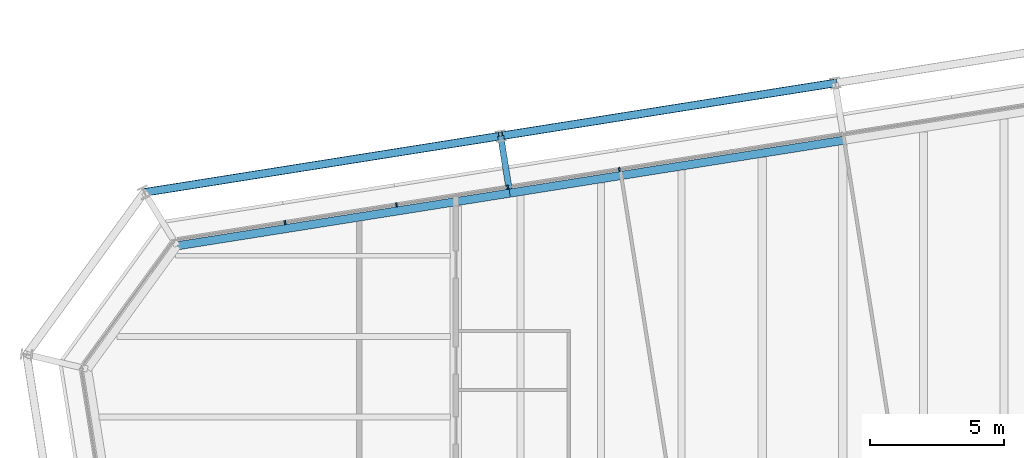
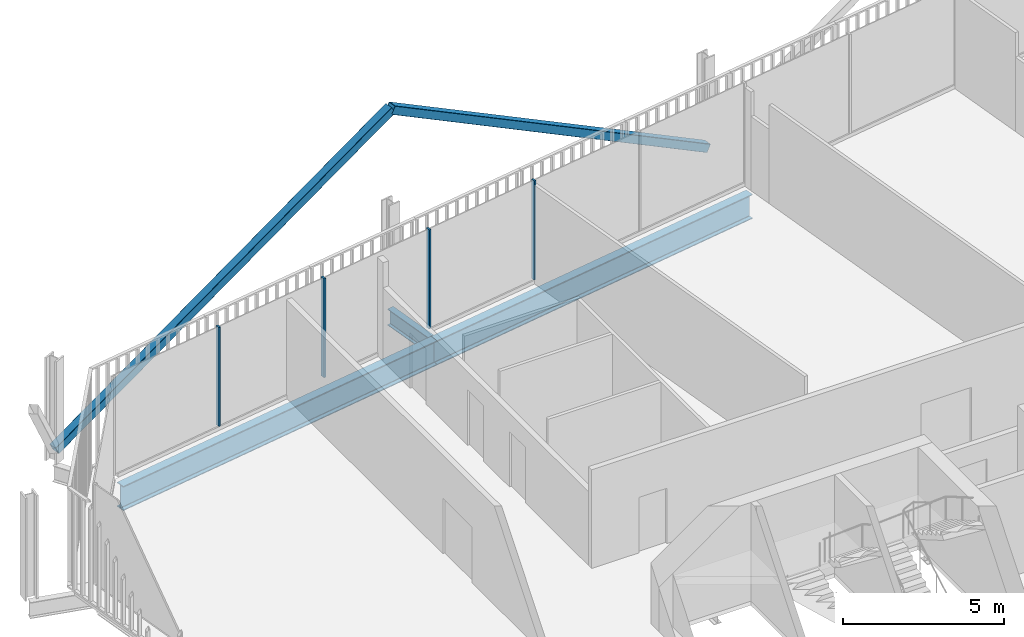
# One storey, part 13 of 21: 6 members, 3 beams, 1 element without a shape of its own.
"""IFC4 building model written with IfcOpenShell, lengths in metres."""

from ifc_helpers import new_model, si_unit, direction, frame, origin, origin_2d, place, context, subcontext, project, spatial, rectangle, hollow_rectangle, i_section, extrude, material, layer, layer_set, material_profile, profile_set, type_object, element, aggregate, save


model = new_model("IFC4")

# Units and contexts
model_context = context("Model", 3, precision=1e-05, world=origin(), true_north=direction((0.0, 1.0)))
body_context = subcontext(model_context, "Body", "Model", "MODEL_VIEW")
ifc_project = project(units=[si_unit("LENGTHUNIT", "METRE"), si_unit("AREAUNIT", "SQUARE_METRE"), si_unit("VOLUMEUNIT", "CUBIC_METRE"), si_unit("PLANEANGLEUNIT", "RADIAN"), si_unit("MASSUNIT", "GRAM", prefix="KILO")], contexts=[model_context])

# Site, building, storey
site_placement = place(None, origin())
site = spatial("IfcSite", under=ifc_project, at=site_placement, CompositionType="ELEMENT")
building_placement = place(site_placement, origin())
building = spatial("IfcBuilding", under=site, at=building_placement, Name="Millrace Tower", CompositionType="ELEMENT")
storey_placement = place(building_placement, frame((0.0, 0.0, 220.300048828125)))
storey = spatial("IfcBuildingStorey", under=building, at=storey_placement, Name="L50", CompositionType="ELEMENT", Elevation=220.300048828125)

# Curtain wall, members
ifc_material_1 = material(Name="Aluminium and glass", Category="aluminium")
ifc_layer = layer(ifc_material_1, 0.14990234375)
ifc_layer_set = layer_set([ifc_layer], Name="Aluminium and glass")
curtain_wall_type = type_object("IfcCurtainWallType", Name="CW-1 office vision curtain wall", PredefinedType="NOTDEFINED", material=ifc_layer_set)
curtain_wall_placement = place(storey_placement, origin())
curtain_wall = element("IfcCurtainWall", 1, at=curtain_wall_placement, inside=storey, type_object=curtain_wall_type, Name="Curtain wall D-F06 L50", PredefinedType="NOTDEFINED")
ifc_material_2 = material(Name="Aluminium", Category="aluminium")
ifc_material_profile_1 = material_profile(ifc_material_2, rectangle(XDim=0.06494140625, YDim=0.14990234375, at=origin_2d()))
ifc_profile_set_1 = profile_set([ifc_material_profile_1], Name="Aluminium")
member_type_1 = type_object("IfcMemberType", Name="CW-1 office vision curtain wall mullion", PredefinedType="MULLION", material=ifc_profile_set_1)
member_1_placement = place(storey_placement, frame((-8.31591796875, 27.207275390625, 0.139892578125), z_axis=(0.0, 0.0, 1.0), x_axis=(-0.987688339511, -0.156434471884, 0.0)))
member_1 = element("IfcMember", 2, at=member_1_placement, type_object=member_type_1, Name="CW1 mullion D-F06.6", PredefinedType="MULLION", context=body_context, shape_type="SweptSolid", body=[
    extrude(rectangle(XDim=0.06494140625, YDim=0.14990234375, at=origin_2d()), origin(), (0.0, 0.0, 1.0), 3.760009765625),
])
member_2_placement = place(storey_placement, frame((-12.46435546875, 26.55029296875, 0.139892578125), z_axis=(0.0, 0.0, 1.0), x_axis=(-0.987688339511, -0.156434471884, 0.0)))
member_2 = element("IfcMember", 3, at=member_2_placement, type_object=member_type_1, Name="CW1 mullion D-F06.7", PredefinedType="MULLION", context=body_context, shape_type="SweptSolid", body=[
    extrude(rectangle(XDim=0.06494140625, YDim=0.14990234375, at=origin_2d()), origin(), (0.0, 0.0, 1.0), 3.760009765625),
])
member_3_placement = place(storey_placement, frame((-16.612548828125, 25.893310546875, 0.139892578125), z_axis=(0.0, 0.0, 1.0), x_axis=(-0.987688339511, -0.156434471884, 0.0)))
member_3 = element("IfcMember", 4, at=member_3_placement, type_object=member_type_1, Name="CW1 mullion D-F06.8", PredefinedType="MULLION", context=body_context, shape_type="SweptSolid", body=[
    extrude(rectangle(XDim=0.06494140625, YDim=0.14990234375, at=origin_2d()), origin(), (0.0, 0.0, 1.0), 3.760009765625),
])
member_4_placement = place(storey_placement, frame((-20.7607421875, 25.236328125, 0.139892578125), z_axis=(0.0, 0.0, 1.0), x_axis=(-0.987688339511, -0.156434471884, 0.0)))
member_4 = element("IfcMember", 5, at=member_4_placement, type_object=member_type_1, Name="CW1 mullion D-F06.9", PredefinedType="MULLION", context=body_context, shape_type="SweptSolid", body=[
    extrude(rectangle(XDim=0.06494140625, YDim=0.14990234375, at=origin_2d()), origin(), (0.0, 0.0, 1.0), 3.760009765625),
])
aggregate(curtain_wall, [member_1, member_2, member_3, member_4])

# Members
ifc_material_3 = material(Name="Steel ASTM A500 Grade C", Category="steel")
ifc_material_profile_2 = material_profile(ifc_material_3, hollow_rectangle(XDim=0.3046875, YDim=0.3046875, WallThickness=0.0126953125, InnerFilletRadius=0.00634765625, OuterFilletRadius=0.01904296875, at=origin_2d()))
ifc_profile_set_2 = profile_set([ifc_material_profile_2], Name="Steel ASTM A500 Grade C")
member_type_2 = type_object("IfcMemberType", Name="Exoskeleton brace HSS12x12x1/2", PredefinedType="BRACE", material=ifc_profile_set_2)
member_5_placement = place(storey_placement, frame((-0.288330078125, 30.427734375, 0.39990234375), z_axis=(-0.86339943803, -0.136738080691, 0.485637835943), x_axis=(0.156422238477, -0.987690277015, 0.0)))
element("IfcMember", 6, at=member_5_placement, inside=storey, type_object=member_type_2, Name="BRC-D-L50-11", PredefinedType="BRACE", context=body_context, shape_type="SweptSolid", body=[
    extrude(hollow_rectangle(XDim=0.3046875, YDim=0.3046875, WallThickness=0.0126953125, InnerFilletRadius=0.00634765625, OuterFilletRadius=0.01904296875, at=origin_2d()), origin(), (0.0, 0.0, 1.0), 14.4140625),
])
member_6_placement = place(storey_placement, frame((-25.996337890625, 26.35595703125, 0.39990234375), z_axis=(0.875829804371, 0.138730151249, 0.462251121048), x_axis=(-0.156448038127, 0.987686190734, 0.0)))
element("IfcMember", 7, at=member_6_placement, inside=storey, type_object=member_type_2, Name="BRC-D-L50-12", PredefinedType="BRACE", context=body_context, shape_type="SweptSolid", body=[
    extrude(hollow_rectangle(XDim=0.3046875, YDim=0.3046875, WallThickness=0.0126953125, InnerFilletRadius=0.00634765625, OuterFilletRadius=0.01904296875, at=origin_2d()), origin(), (0.0, 0.0, 1.0), 15.143310546875),
])

# Beams
ifc_material_4 = material(Name="Steel ASTM A992 Grade 50", Category="steel")
ifc_material_profile_3 = material_profile(ifc_material_4, i_section(OverallWidth=0.23046875, OverallDepth=0.6171875, WebThickness=0.01318359375, FlangeThickness=0.022216796875, FilletRadius=0.012939453125, at=origin_2d()))
ifc_profile_set_3 = profile_set([ifc_material_profile_3], Name="Steel ASTM A992 Grade 50")
beam_type_1 = type_object("IfcBeamType", Name="Link beam W24x94", PredefinedType="BEAM", material=ifc_profile_set_3)
beam_1_placement = place(storey_placement, frame((-12.42041015625, 26.481201171875, -0.46875), z_axis=(-0.156476509441, 0.987681680499, 0.0), x_axis=(-0.987681680499, -0.156476509441, 0.0)))
element("IfcBeam", 8, at=beam_1_placement, inside=storey, type_object=beam_type_1, Name="LNK-D-L50-S1-06", PredefinedType="BEAM", context=body_context, shape_type="SweptSolid", body=[
    extrude(i_section(OverallWidth=0.23046875, OverallDepth=0.6171875, WebThickness=0.01318359375, FlangeThickness=0.022216796875, FilletRadius=0.012939453125, at=origin_2d()), origin(), (0.0, 0.0, 1.0), 2.000244140625),
])
ifc_material_5 = material(Name="Steel ASTM A992 Grade 50", Category="steel")
ifc_material_profile_4 = material_profile(ifc_material_5, i_section(OverallWidth=0.307373046875, OverallDepth=0.927001953125, WebThickness=0.01953125, FlangeThickness=0.031982421875, FilletRadius=0.01904296875, at=origin_2d()))
ifc_profile_set_4 = profile_set([ifc_material_profile_4], Name="Steel ASTM A992 Grade 50")
beam_type_2 = type_object("IfcBeamType", Name="Ring beam medium span W36x194", PredefinedType="SPANDREL", material=ifc_profile_set_4)
beam_2_placement = place(storey_placement, frame((-24.7783203125, 24.368408203125, -0.62353515625), z_axis=(0.987687213011, 0.156441584157, 0.0), x_axis=(-0.156441584157, 0.987687213011, 0.0)))
element("IfcBeam", 9, at=beam_2_placement, inside=storey, type_object=beam_type_2, Name="RNG-D-L50-S1-05", PredefinedType="SPANDREL", context=body_context, shape_type="SweptSolid", body=[
    extrude(i_section(OverallWidth=0.307373046875, OverallDepth=0.927001953125, WebThickness=0.01953125, FlangeThickness=0.031982421875, FilletRadius=0.01904296875, at=origin_2d()), origin(), (0.0, 0.0, 1.0), 12.5361328125),
])
beam_3_placement = place(storey_placement, frame((-12.396484375, 26.32958984375, -0.62353515625), z_axis=(0.987690277015, 0.156422238477, 0.0), x_axis=(-0.156422238477, 0.987690277015, 0.0)))
element("IfcBeam", 10, at=beam_3_placement, inside=storey, type_object=beam_type_2, Name="RNG-D-L50-S1-06", PredefinedType="SPANDREL", context=body_context, shape_type="SweptSolid", body=[
    extrude(i_section(OverallWidth=0.307373046875, OverallDepth=0.927001953125, WebThickness=0.01953125, FlangeThickness=0.031982421875, FilletRadius=0.01904296875, at=origin_2d()), origin(), (0.0, 0.0, 1.0), 12.60009765625),
])

save(model, "model.ifc")
